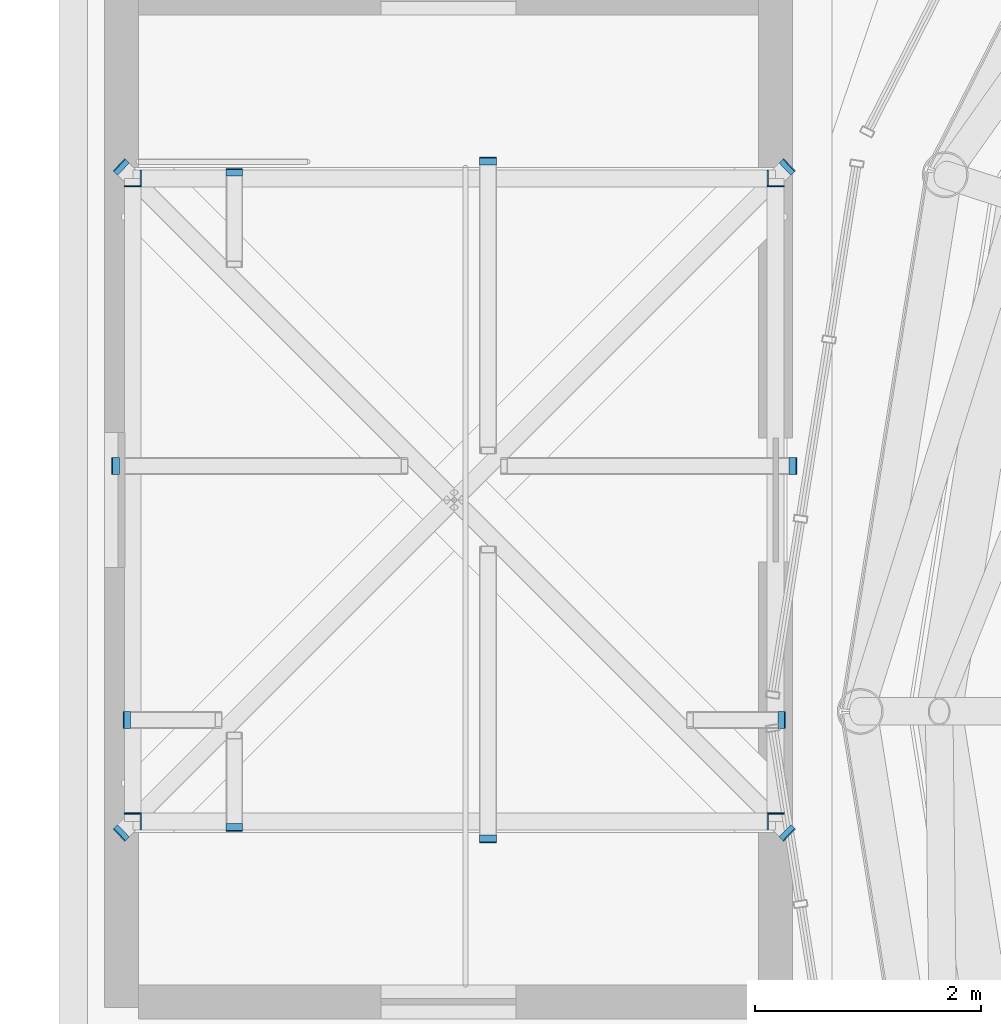
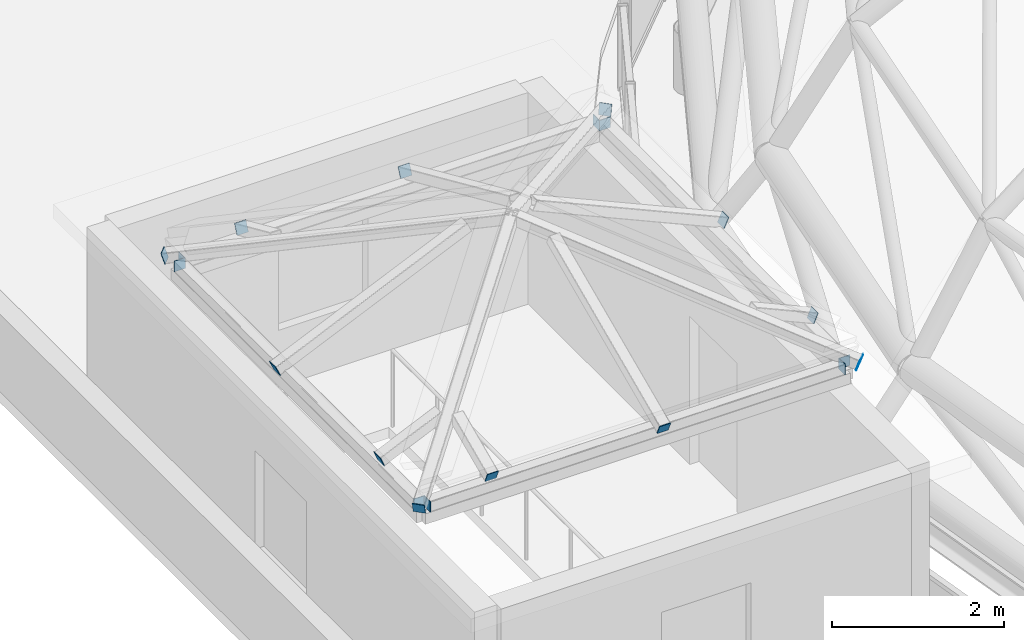
# One storey, part 61 of 69: 20 discrete accessories.
"""IFC4 building model written with IfcOpenShell, lengths in metres."""

from ifc_helpers import new_model, si_unit, direction, frame, origin, origin_2d, place, context, subcontext, project, spatial, rectangle, extrude, material, material_profile, profile_set, type_object, element, save


model = new_model("IFC4")

# Units and contexts
model_context = context("Model", 3, precision=1e-05, world=origin(), true_north=direction((0.0, 1.0)))
body_context = subcontext(model_context, "Body", "Model", "MODEL_VIEW")
ifc_project = project(units=[si_unit("LENGTHUNIT", "METRE"), si_unit("AREAUNIT", "SQUARE_METRE"), si_unit("VOLUMEUNIT", "CUBIC_METRE"), si_unit("PLANEANGLEUNIT", "RADIAN"), si_unit("MASSUNIT", "GRAM", prefix="KILO")], contexts=[model_context])

# Site, building, storey
site_placement = place(None, origin())
site = spatial("IfcSite", under=ifc_project, at=site_placement, CompositionType="ELEMENT")
building_placement = place(site_placement, origin())
building = spatial("IfcBuilding", under=site, at=building_placement, Name="Kallimachos Central Library", CompositionType="ELEMENT")
storey_placement = place(building_placement, frame((0.0, 0.0, 23.39990234375)))
storey = spatial("IfcBuildingStorey", under=building, at=storey_placement, Name="L05", CompositionType="ELEMENT", Elevation=23.39990234375)

# Discrete accessories
ifc_material = material(Name="Steel S355J2", Category="steel")
ifc_material_profile = material_profile(ifc_material, rectangle(XDim=0.14990234375, YDim=0.14990234375, at=origin_2d()), Name="End cap plate 10, 150x150")
ifc_profile_set = profile_set([ifc_material_profile], Name="Steel S355J2")
discrete_accessory_type = type_object("IfcDiscreteAccessoryType", Name="End cap plate 10, 150x150", PredefinedType="BRACKET", material=ifc_profile_set)
for number, where, z_axis, x_axis, name in (
    (1, (66.215087890625, 103.425048828125, 3.425048828125), (1.0, 0.0, 0.0), (0.0, 1.0, 0.0), "End cap plate"),
    (2, (71.77490234375, 103.425048828125, 3.425048828125), (1.0, 0.0, 0.0), (0.0, 1.0, 0.0), "End cap plate"),
    (3, (66.215087890625, 109.125, 3.425048828125), (1.0, 0.0, 0.0), (0.0, 1.0, 0.0), "End cap plate"),
    (4, (71.77490234375, 109.125, 3.425048828125), (1.0, 0.0, 0.0), (0.0, 1.0, 0.0), "End cap plate"),
    (5, (66.14990234375, 103.489990234375, 3.425048828125), (0.0, 1.0, 0.0), (-1.0, 0.0, 0.0), "End cap plate"),
    (6, (66.14990234375, 109.050048828125, 3.425048828125), (0.0, 1.0, 0.0), (-1.0, 0.0, 0.0), "End cap plate"),
    (7, (71.85009765625, 103.489990234375, 3.425048828125), (0.0, 1.0, 0.0), (-1.0, 0.0, 0.0), "End cap plate"),
    (8, (71.85009765625, 109.050048828125, 3.425048828125), (0.0, 1.0, 0.0), (-1.0, 0.0, 0.0), "End cap plate"),
):
    element("IfcDiscreteAccessory", number, at=place(storey_placement, frame(where, z_axis=z_axis, x_axis=x_axis)), inside=storey, type_object=discrete_accessory_type, Name=name, PredefinedType="BRACKET", context=body_context, shape_type="SweptSolid", body=[
        extrude(rectangle(XDim=0.14990234375, YDim=0.14990234375, at=origin_2d()), origin(), (0.0, 0.0, 1.0), 0.010009765625),
    ])
discrete_accessory_1_placement = place(storey_placement, frame((67.050048828125, 103.365966796875, 3.555908203125), z_axis=(0.0, 0.91785703596, 0.396911150685), x_axis=(-1.0, 0.0, 0.0)))
element("IfcDiscreteAccessory", 9, at=discrete_accessory_1_placement, inside=storey, type_object=discrete_accessory_type, Name="End cap plate", PredefinedType="BRACKET", context=body_context, shape_type="SweptSolid", body=[
    extrude(rectangle(XDim=0.14990234375, YDim=0.14990234375, at=origin_2d()), origin(), (0.0, 0.0, 1.0), 0.009765625),
])
discrete_accessory_2_placement = place(storey_placement, frame((69.300048828125, 103.265869140625, 3.51123046875), z_axis=(0.0, 0.908676843963, 0.417500171551), x_axis=(-1.0, 0.0, 0.0)))
element("IfcDiscreteAccessory", 10, at=discrete_accessory_2_placement, inside=storey, type_object=discrete_accessory_type, Name="End cap plate", PredefinedType="BRACKET", context=body_context, shape_type="SweptSolid", body=[
    extrude(rectangle(XDim=0.14990234375, YDim=0.14990234375, at=origin_2d()), origin(), (0.0, 0.0, 1.0), 0.010009765625),
])
discrete_accessory_3_placement = place(storey_placement, frame((67.050048828125, 109.18408203125, 3.555908203125), z_axis=(0.0, -0.91785703596, 0.396911150685), x_axis=(1.0, 0.0, 0.0)))
element("IfcDiscreteAccessory", 11, at=discrete_accessory_3_placement, inside=storey, type_object=discrete_accessory_type, Name="End cap plate", PredefinedType="BRACKET", context=body_context, shape_type="SweptSolid", body=[
    extrude(rectangle(XDim=0.14990234375, YDim=0.14990234375, at=origin_2d()), origin(), (0.0, 0.0, 1.0), 0.009765625),
])
discrete_accessory_4_placement = place(storey_placement, frame((69.300048828125, 109.2841796875, 3.51123046875), z_axis=(0.0, -0.912818251895, 0.408366060058), x_axis=(1.0, 0.0, 0.0)))
element("IfcDiscreteAccessory", 12, at=discrete_accessory_4_placement, inside=storey, type_object=discrete_accessory_type, Name="End cap plate", PredefinedType="BRACKET", context=body_context, shape_type="SweptSolid", body=[
    extrude(rectangle(XDim=0.14990234375, YDim=0.14990234375, at=origin_2d()), origin(), (0.0, 0.0, 1.0), 0.01025390625),
])
for number, where, z_axis, x_axis, name in (
    (13, (66.0908203125, 104.324951171875, 3.555908203125), (0.921635375138, 0.0, 0.388057000058), (0.0, 1.0, 0.0), "End cap plate"),
    (14, (65.990966796875, 106.574951171875, 3.51123046875), (0.908676843963, 0.0, 0.417500171551), (0.0, 1.0, 0.0), "End cap plate"),
    (15, (71.9091796875, 104.324951171875, 3.555908203125), (-0.921635375138, 0.0, 0.388057000058), (0.0, -1.0, 0.0), "End cap plate"),
    (16, (72.009033203125, 106.574951171875, 3.51123046875), (-0.908676843963, 0.0, 0.417500171551), (0.0, -1.0, 0.0), "End cap plate"),
    (17, (66.043212890625, 103.318359375, 3.484375), (0.682723788732, 0.658340796277, 0.316978901911), (-0.694135570584, 0.719844295421, 0.0), "End cap plate"),
    (18, (71.956787109375, 103.318359375, 3.484375), (-0.682723788732, 0.658340796277, 0.316978901911), (-0.694135570584, -0.719844295421, 0.0), "End cap plate"),
    (19, (66.043212890625, 109.231689453125, 3.484375), (0.682723788732, -0.658340796277, 0.316978901911), (0.694135570584, 0.719844295421, 0.0), "End cap plate"),
    (20, (71.956787109375, 109.231689453125, 3.484375), (-0.682723788732, -0.658340796277, 0.316978901911), (0.694135570584, -0.719844295421, 0.0), "End cap plate"),
):
    element("IfcDiscreteAccessory", number, at=place(storey_placement, frame(where, z_axis=z_axis, x_axis=x_axis)), inside=storey, type_object=discrete_accessory_type, Name=name, PredefinedType="BRACKET", context=body_context, shape_type="SweptSolid", body=[
        extrude(rectangle(XDim=0.14990234375, YDim=0.14990234375, at=origin_2d()), origin(), (0.0, 0.0, 1.0), 0.010009765625),
    ])

save(model, "model.ifc")
